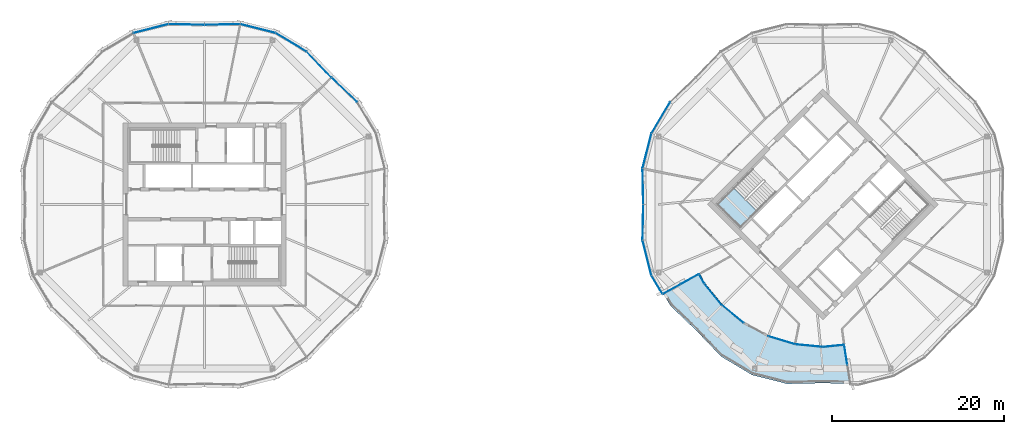
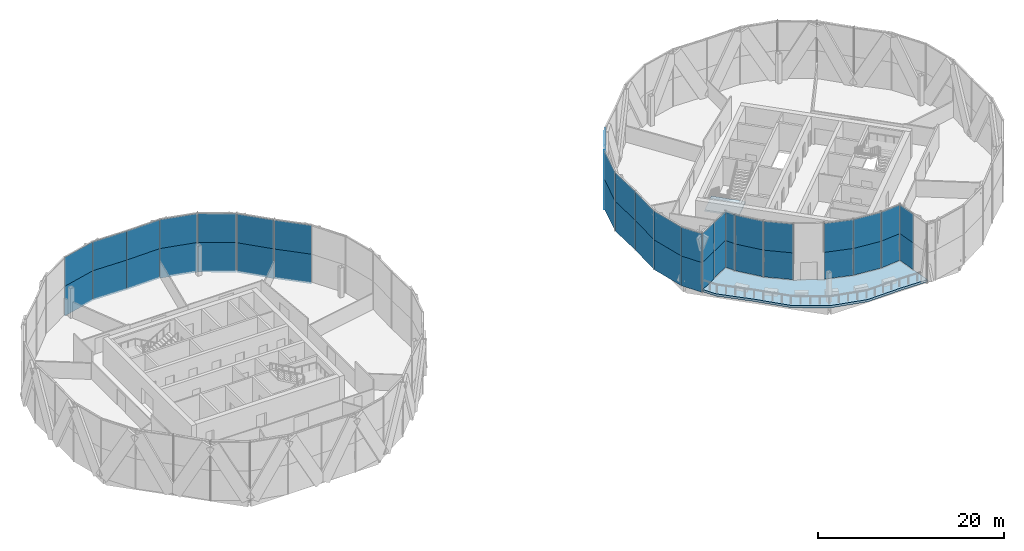
# One storey, part 16 of 26: 44 plates, 2 slabs, 11 elements without a shape of their own.
"""IFC4 building model written with IfcOpenShell, lengths in metres."""

from ifc_helpers import new_model, si_unit, direction, frame, origin, origin_2d, place, context, subcontext, project, spatial, polyline, rectangle, outline, extrude, material, layer, layer_set, type_object, element, aggregate, save


model = new_model("IFC4")

# Units and contexts
model_context = context("Model", 3, precision=1e-05, world=origin(), true_north=direction((0.0, 1.0)))
body_context = subcontext(model_context, "Body", "Model", "MODEL_VIEW")
ifc_project = project(units=[si_unit("LENGTHUNIT", "METRE"), si_unit("AREAUNIT", "SQUARE_METRE"), si_unit("VOLUMEUNIT", "CUBIC_METRE"), si_unit("PLANEANGLEUNIT", "RADIAN"), si_unit("MASSUNIT", "GRAM", prefix="KILO")], contexts=[model_context])

# Site, building, storey
site_placement = place(None, origin())
site = spatial("IfcSite", under=ifc_project, at=site_placement, CompositionType="ELEMENT")
building_placement = place(site_placement, origin())
building = spatial("IfcBuilding", under=site, at=building_placement, Name="Ogive Gate Towers", CompositionType="ELEMENT")
storey_placement = place(building_placement, frame((0.0, 0.0, 208.5)))
storey = spatial("IfcBuildingStorey", under=building, at=storey_placement, Name="L50", CompositionType="ELEMENT", Elevation=208.5)

# Curtain wall, plates
ifc_material_1 = material(Name="Pale metal aluminium", Category="aluminium")
curtain_wall_type_1 = type_object("IfcCurtainWallType", Name="Sky garden glazing", PredefinedType="NOTDEFINED", material=ifc_material_1)
curtain_wall_1_placement = place(storey_placement, origin())
curtain_wall_1 = element("IfcCurtainWall", 1, at=curtain_wall_1_placement, inside=storey, type_object=curtain_wall_type_1, Name="CW4 T2 ECW01", PredefinedType="NOTDEFINED")
ifc_material_2 = material(Name="Clear glass", Category="glass")
ifc_layer_1 = layer(ifc_material_2, 0.028076171875)
ifc_layer_set_1 = layer_set([ifc_layer_1], Name="Sky garden glazing glass panel")
plate_type_1 = type_object("IfcPlateType", Name="Sky garden glazing glass panel", PredefinedType="CURTAIN_PANEL", material=ifc_layer_set_1)
plate_1_placement = place(storey_placement, frame((23.23046875, -10.481689453125, 0.095947265625), z_axis=(0.0, 0.0, 1.0), x_axis=(-0.634393284164, 0.773010453363, 0.0)))
plate_1 = element("IfcPlate", 2, at=plate_1_placement, type_object=plate_type_1, Name="CW4 glass panel", PredefinedType="CURTAIN_PANEL", context=body_context, shape_type="SweptSolid", body=[
    extrude(rectangle(XDim=3.206787109375, YDim=0.028076171875, at=origin_2d()), origin(), (0.0, 0.0, 1.0), 3.50390625),
])
plate_2_placement = place(storey_placement, frame((23.23046875, -10.481689453125, 3.60009765625), z_axis=(0.0, 0.0, 1.0), x_axis=(-0.634393284164, 0.773010453363, 0.0)))
plate_2 = element("IfcPlate", 3, at=plate_2_placement, type_object=plate_type_1, Name="CW4 glass panel", PredefinedType="CURTAIN_PANEL", context=body_context, shape_type="SweptSolid", body=[
    extrude(rectangle(XDim=3.206787109375, YDim=0.028076171875, at=origin_2d()), origin(), (0.0, 0.0, 1.0), 3.803955078125),
])
plate_3_placement = place(storey_placement, frame((21.89990234375, -8.666259765625, 0.095947265625), z_axis=(0.0, 0.0, 1.0), x_axis=(-0.471396736826, 0.881921264348, 0.0)))
plate_3 = element("IfcPlate", 4, at=plate_3_placement, type_object=plate_type_1, Name="CW4 glass panel", PredefinedType="CURTAIN_PANEL", context=body_context, shape_type="SweptSolid", body=[
    extrude(rectangle(XDim=1.211181640625, YDim=0.028076171875, at=origin_2d()), origin(), (0.0, 0.0, 1.0), 3.50390625),
])
plate_4_placement = place(storey_placement, frame((21.89990234375, -8.666259765625, 3.60009765625), z_axis=(0.0, 0.0, 1.0), x_axis=(-0.471396736826, 0.881921264348, 0.0)))
plate_4 = element("IfcPlate", 5, at=plate_4_placement, type_object=plate_type_1, Name="CW4 glass panel", PredefinedType="CURTAIN_PANEL", context=body_context, shape_type="SweptSolid", body=[
    extrude(rectangle(XDim=1.211181640625, YDim=0.028076171875, at=origin_2d()), origin(), (0.0, 0.0, 1.0), 3.803955078125),
])
plate_5_placement = place(storey_placement, frame((20.52734375, -8.69091796875, 0.095947265625), z_axis=(0.0, 0.0, 1.0), x_axis=(-0.87462816853, -0.484794355179, 0.0)))
plate_5 = element("IfcPlate", 6, at=plate_5_placement, type_object=plate_type_1, Name="CW4 glass panel", PredefinedType="CURTAIN_PANEL", context=body_context, shape_type="SweptSolid", body=[
    extrude(rectangle(XDim=2.367919921875, YDim=0.028076171875, at=origin_2d()), origin(), (0.0, 0.0, 1.0), 3.50390625),
])
plate_6_placement = place(storey_placement, frame((20.52734375, -8.69091796875, 3.60009765625), z_axis=(0.0, 0.0, 1.0), x_axis=(-0.87462816853, -0.484794355179, 0.0)))
plate_6 = element("IfcPlate", 7, at=plate_6_placement, type_object=plate_type_1, Name="CW4 glass panel", PredefinedType="CURTAIN_PANEL", context=body_context, shape_type="SweptSolid", body=[
    extrude(rectangle(XDim=2.367919921875, YDim=0.028076171875, at=origin_2d()), origin(), (0.0, 0.0, 1.0), 3.803955078125),
])
aggregate(curtain_wall_1, [plate_1, plate_2, plate_3, plate_4, plate_5, plate_6])

curtain_wall_2_placement = place(storey_placement, origin())
curtain_wall_2 = element("IfcCurtainWall", 8, at=curtain_wall_2_placement, inside=storey, type_object=curtain_wall_type_1, Name="CW4 T2 ECW02", PredefinedType="NOTDEFINED")
plate_7_placement = place(storey_placement, frame((34.38232421875, -16.441162109375, 0.095947265625), z_axis=(0.0, 0.0, 1.0), x_axis=(-0.995184726672, 0.09801714033, 0.0)))
plate_7 = element("IfcPlate", 9, at=plate_7_placement, type_object=plate_type_1, Name="CW4 glass panel", PredefinedType="CURTAIN_PANEL", context=body_context, shape_type="SweptSolid", body=[
    extrude(rectangle(XDim=3.206787109375, YDim=0.028076171875, at=origin_2d()), origin(), (0.0, 0.0, 1.0), 3.50390625),
])
plate_8_placement = place(storey_placement, frame((34.38232421875, -16.441162109375, 3.60009765625), z_axis=(0.0, 0.0, 1.0), x_axis=(-0.995184726672, 0.09801714033, 0.0)))
plate_8 = element("IfcPlate", 10, at=plate_8_placement, type_object=plate_type_1, Name="CW4 glass panel", PredefinedType="CURTAIN_PANEL", context=body_context, shape_type="SweptSolid", body=[
    extrude(rectangle(XDim=3.206787109375, YDim=0.028076171875, at=origin_2d()), origin(), (0.0, 0.0, 1.0), 3.803955078125),
])
plate_9_placement = place(storey_placement, frame((31.20263671875, -15.80859375, 0.095947265625), z_axis=(0.0, 0.0, 1.0), x_axis=(-0.956935269163, 0.29030137897, 0.0)))
plate_9 = element("IfcPlate", 11, at=plate_9_placement, type_object=plate_type_1, Name="CW4 glass panel", PredefinedType="CURTAIN_PANEL", context=body_context, shape_type="SweptSolid", body=[
    extrude(rectangle(XDim=3.206787109375, YDim=0.028076171875, at=origin_2d()), origin(), (0.0, 0.0, 1.0), 3.50390625),
])
plate_10_placement = place(storey_placement, frame((31.20263671875, -15.80859375, 3.60009765625), z_axis=(0.0, 0.0, 1.0), x_axis=(-0.956935269163, 0.29030137897, 0.0)))
plate_10 = element("IfcPlate", 12, at=plate_10_placement, type_object=plate_type_1, Name="CW4 glass panel", PredefinedType="CURTAIN_PANEL", context=body_context, shape_type="SweptSolid", body=[
    extrude(rectangle(XDim=3.206787109375, YDim=0.028076171875, at=origin_2d()), origin(), (0.0, 0.0, 1.0), 3.803955078125),
])
aggregate(curtain_wall_2, [plate_7, plate_8, plate_9, plate_10])

curtain_wall_3_placement = place(storey_placement, origin())
curtain_wall_3 = element("IfcCurtainWall", 13, at=curtain_wall_3_placement, inside=storey, type_object=curtain_wall_type_1, Name="CW4 T2 ECW02b", PredefinedType="NOTDEFINED")
plate_11_placement = place(storey_placement, frame((25.51953125, -12.7705078125, 0.095947265625), z_axis=(0.0, 0.0, 1.0), x_axis=(-0.773010453363, 0.634393284164, 0.0)))
plate_11 = element("IfcPlate", 14, at=plate_11_placement, type_object=plate_type_1, Name="CW4 glass panel", PredefinedType="CURTAIN_PANEL", context=body_context, shape_type="SweptSolid", body=[
    extrude(rectangle(XDim=3.210205078125, YDim=0.028076171875, at=origin_2d()), origin(), (0.0, 0.0, 1.0), 3.50390625),
])
plate_12_placement = place(storey_placement, frame((25.51953125, -12.7705078125, 3.60009765625), z_axis=(0.0, 0.0, 1.0), x_axis=(-0.773010453363, 0.634393284164, 0.0)))
plate_12 = element("IfcPlate", 15, at=plate_12_placement, type_object=plate_type_1, Name="CW4 glass panel", PredefinedType="CURTAIN_PANEL", context=body_context, shape_type="SweptSolid", body=[
    extrude(rectangle(XDim=3.210205078125, YDim=0.028076171875, at=origin_2d()), origin(), (0.0, 0.0, 1.0), 3.803955078125),
])
aggregate(curtain_wall_3, [plate_11, plate_12])

curtain_wall_4_placement = place(storey_placement, origin())
curtain_wall_4 = element("IfcCurtainWall", 16, at=curtain_wall_4_placement, inside=storey, type_object=curtain_wall_type_1, Name="CW4 T2 ECW03", PredefinedType="NOTDEFINED")
plate_13_placement = place(storey_placement, frame((38.673095703125, -17.5166015625, 0.095947265625), z_axis=(0.0, 0.0, 1.0), x_axis=(-0.15645170343, 0.987685610148, 0.0)))
plate_13 = element("IfcPlate", 17, at=plate_13_placement, type_object=plate_type_1, Name="CW4 glass panel", PredefinedType="CURTAIN_PANEL", context=body_context, shape_type="SweptSolid", body=[
    extrude(rectangle(XDim=2.277099609375, YDim=0.028076171875, at=origin_2d()), origin(), (0.0, 0.0, 1.0), 3.50390625),
])
plate_14_placement = place(storey_placement, frame((38.673095703125, -17.5166015625, 3.60009765625), z_axis=(0.0, 0.0, 1.0), x_axis=(-0.15645170343, 0.987685610148, 0.0)))
plate_14 = element("IfcPlate", 18, at=plate_14_placement, type_object=plate_type_1, Name="CW4 glass panel", PredefinedType="CURTAIN_PANEL", context=body_context, shape_type="SweptSolid", body=[
    extrude(rectangle(XDim=2.277099609375, YDim=0.028076171875, at=origin_2d()), origin(), (0.0, 0.0, 1.0), 3.803955078125),
])
plate_15_placement = place(storey_placement, frame((37.237060546875, -16.478515625, 0.095947265625), z_axis=(0.0, 0.0, 1.0), x_axis=(-0.995183015799, -0.098034509565, 0.0)))
plate_15 = element("IfcPlate", 19, at=plate_15_placement, type_object=plate_type_1, Name="CW4 glass panel", PredefinedType="CURTAIN_PANEL", context=body_context, shape_type="SweptSolid", body=[
    extrude(rectangle(XDim=2.44189453125, YDim=0.028076171875, at=origin_2d()), origin(), (0.0, 0.0, 1.0), 3.50390625),
])
plate_16_placement = place(storey_placement, frame((37.237060546875, -16.478515625, 3.60009765625), z_axis=(0.0, 0.0, 1.0), x_axis=(-0.995183015799, -0.098034509565, 0.0)))
plate_16 = element("IfcPlate", 20, at=plate_16_placement, type_object=plate_type_1, Name="CW4 glass panel", PredefinedType="CURTAIN_PANEL", context=body_context, shape_type="SweptSolid", body=[
    extrude(rectangle(XDim=2.44189453125, YDim=0.028076171875, at=origin_2d()), origin(), (0.0, 0.0, 1.0), 3.803955078125),
])
aggregate(curtain_wall_4, [plate_13, plate_14, plate_15, plate_16])

# Stair, slab
ifc_material_3 = material(Name="Concrete C40/50", Category="concrete")
stair_type = type_object("IfcStairType", Name="Escape stair 1840 wide", PredefinedType="HALF_TURN_STAIR", material=ifc_material_3)
stair_placement = place(storey_placement, origin())
stair = element("IfcStair", 21, at=stair_placement, inside=storey, type_object=stair_type, Name="L50 Escape stair 1", PredefinedType="HALF_TURN_STAIR")
ifc_layer_2 = layer(ifc_material_3, 0.199951171875)
ifc_layer_set_2 = layer_set([ifc_layer_2], Name="Stair landing 200 mm")
slab_type_1 = type_object("IfcSlabType", Name="Stair landing 200 mm", PredefinedType="LANDING", material=ifc_layer_set_2)
slab_1_placement = place(storey_placement, frame((0.0, 0.0, 1.75)))
slab_1 = element("IfcSlab", 22, at=slab_1_placement, type_object=slab_type_1, Name="ST1 landing 1", PredefinedType="LANDING", context=body_context, shape_type="SweptSolid", body=[
    extrude(outline(polyline([(25.6044921875, 1.908203125), (23.6962890625, 0.0), (26.401123046875, -2.70458984375), (28.309326171875, -0.79638671875), (25.6044921875, 1.908203125)])), origin(), (0.0, 0.0, 1.0), 0.199951171875),
])
aggregate(stair, [slab_1])

# Slab
ifc_material_4 = material(Name="Concrete C35/45", Category="concrete")
ifc_layer_3 = layer(ifc_material_4, 0.300048828125)
ifc_layer_set_3 = layer_set([ifc_layer_3], Name="Terrace slab 300")
slab_type_2 = type_object("IfcSlabType", Name="Terrace slab 300", PredefinedType="FLOOR", material=ifc_layer_set_3)
slab_2_placement = place(storey_placement, frame((0.0, 0.0, -0.300048828125)))
element("IfcSlab", 23, at=slab_2_placement, inside=storey, type_object=slab_type_2, Name="T2/L50/SSL002", PredefinedType="FLOOR", context=body_context, shape_type="SweptSolid", body=[
    extrude(outline(polyline([(21.636474609375, -7.961669921875), (17.385009765625, -10.318359375), (18.289794921875, -11.833740234375), (21.292236328125, -14.707763671875), (24.166259765625, -17.710205078125), (27.772216796875, -19.863525390625), (31.844482421875, -20.890625), (36.0, -20.800048828125), (39.305908203125, -20.8720703125), (38.5732421875, -16.24658203125), (36.0, -16.5), (32.781005859375, -16.182861328125), (29.685791015625, -15.243896484375), (26.8330078125, -13.71923828125), (24.332763671875, -11.667236328125), (22.28076171875, -9.1669921875), (21.636474609375, -7.961669921875)])), origin(), (0.0, 0.0, 1.0), 0.300048828125),
])

# Curtain wall, plates
curtain_wall_type_2 = type_object("IfcCurtainWallType", Name="Tower unitised wall, high zone", PredefinedType="NOTDEFINED", material=ifc_material_1)
curtain_wall_5_placement = place(storey_placement, origin())
curtain_wall_5 = element("IfcCurtainWall", 24, at=curtain_wall_5_placement, inside=storey, type_object=curtain_wall_type_2, Name="CW2 T1 ECW01", PredefinedType="NOTDEFINED")
ifc_layer_4 = layer(ifc_material_2, 0.028076171875)
ifc_layer_set_4 = layer_set([ifc_layer_4], Name="Tower unitised wall, high zone glass panel")
plate_type_2 = type_object("IfcPlateType", Name="Tower unitised wall, high zone glass panel", PredefinedType="CURTAIN_PANEL", material=ifc_layer_set_4)
plate_17_placement = place(storey_placement, frame((-19.717529296875, 13.3388671875, -0.300048828125), z_axis=(0.0, 0.0, 1.0), x_axis=(-0.722376031129, 0.691500448047, 0.0)))
plate_17 = element("IfcPlate", 25, at=plate_17_placement, type_object=plate_type_2, Name="CW2 glass panel", PredefinedType="CURTAIN_PANEL", context=body_context, shape_type="SweptSolid", body=[
    extrude(rectangle(XDim=4.10986328125, YDim=0.028076171875, at=origin_2d()), origin(), (0.0, 0.0, 1.0), 3.89990234375),
])
plate_18_placement = place(storey_placement, frame((-19.717529296875, 13.3388671875, 3.60009765625), z_axis=(0.0, 0.0, 1.0), x_axis=(-0.722376031129, 0.691500448047, 0.0)))
plate_18 = element("IfcPlate", 26, at=plate_18_placement, type_object=plate_type_2, Name="CW2 glass panel", PredefinedType="CURTAIN_PANEL", context=body_context, shape_type="SweptSolid", body=[
    extrude(rectangle(XDim=4.10986328125, YDim=0.028076171875, at=origin_2d()), origin(), (0.0, 0.0, 1.0), 3.803955078125),
])
aggregate(curtain_wall_5, [plate_17, plate_18])

curtain_wall_6_placement = place(storey_placement, origin())
curtain_wall_6 = element("IfcCurtainWall", 27, at=curtain_wall_6_placement, inside=storey, type_object=curtain_wall_type_2, Name="CW2 T1 ECW02", PredefinedType="NOTDEFINED")
plate_19_placement = place(storey_placement, frame((-22.6611328125, 16.282470703125, -0.300048828125), z_axis=(0.0, 0.0, 1.0), x_axis=(-0.691500448047, 0.722376031129, 0.0)))
plate_19 = element("IfcPlate", 28, at=plate_19_placement, type_object=plate_type_2, Name="CW2 glass panel", PredefinedType="CURTAIN_PANEL", context=body_context, shape_type="SweptSolid", body=[
    extrude(rectangle(XDim=4.10986328125, YDim=0.028076171875, at=origin_2d()), origin(), (0.0, 0.0, 1.0), 3.89990234375),
])
plate_20_placement = place(storey_placement, frame((-22.6611328125, 16.282470703125, 3.60009765625), z_axis=(0.0, 0.0, 1.0), x_axis=(-0.691500448047, 0.722376031129, 0.0)))
plate_20 = element("IfcPlate", 29, at=plate_20_placement, type_object=plate_type_2, Name="CW2 glass panel", PredefinedType="CURTAIN_PANEL", context=body_context, shape_type="SweptSolid", body=[
    extrude(rectangle(XDim=4.10986328125, YDim=0.028076171875, at=origin_2d()), origin(), (0.0, 0.0, 1.0), 3.803955078125),
])
plate_21_placement = place(storey_placement, frame((-25.91845703125, 18.873046875, -0.300048828125), z_axis=(0.0, 0.0, 1.0), x_axis=(-0.858584319161, 0.512672377733, 0.0)))
plate_21 = element("IfcPlate", 30, at=plate_21_placement, type_object=plate_type_2, Name="CW2 glass panel", PredefinedType="CURTAIN_PANEL", context=body_context, shape_type="SweptSolid", body=[
    extrude(rectangle(XDim=4.166015625, YDim=0.028076171875, at=origin_2d()), origin(), (0.0, 0.0, 1.0), 3.89990234375),
])
plate_22_placement = place(storey_placement, frame((-25.91845703125, 18.873046875, 3.60009765625), z_axis=(0.0, 0.0, 1.0), x_axis=(-0.858584319161, 0.512672377733, 0.0)))
plate_22 = element("IfcPlate", 31, at=plate_22_placement, type_object=plate_type_2, Name="CW2 glass panel", PredefinedType="CURTAIN_PANEL", context=body_context, shape_type="SweptSolid", body=[
    extrude(rectangle(XDim=4.166015625, YDim=0.028076171875, at=origin_2d()), origin(), (0.0, 0.0, 1.0), 3.803955078125),
])
plate_23_placement = place(storey_placement, frame((-29.783447265625, 20.473876953125, -0.300048828125), z_axis=(0.0, 0.0, 1.0), x_axis=(-0.969620639956, 0.244613602588, 0.0)))
plate_23 = element("IfcPlate", 32, at=plate_23_placement, type_object=plate_type_2, Name="CW2 glass panel", PredefinedType="CURTAIN_PANEL", context=body_context, shape_type="SweptSolid", body=[
    extrude(rectangle(XDim=4.166015625, YDim=0.028076171875, at=origin_2d()), origin(), (0.0, 0.0, 1.0), 3.89990234375),
])
plate_24_placement = place(storey_placement, frame((-29.783447265625, 20.473876953125, 3.60009765625), z_axis=(0.0, 0.0, 1.0), x_axis=(-0.969620639956, 0.244613602588, 0.0)))
plate_24 = element("IfcPlate", 33, at=plate_24_placement, type_object=plate_type_2, Name="CW2 glass panel", PredefinedType="CURTAIN_PANEL", context=body_context, shape_type="SweptSolid", body=[
    extrude(rectangle(XDim=4.166015625, YDim=0.028076171875, at=origin_2d()), origin(), (0.0, 0.0, 1.0), 3.803955078125),
])
plate_25_placement = place(storey_placement, frame((-33.91845703125, 20.945556640625, -0.300048828125), z_axis=(0.0, 0.0, 1.0), x_axis=(-0.999761646186, -0.02183233417, 0.0)))
plate_25 = element("IfcPlate", 34, at=plate_25_placement, type_object=plate_type_2, Name="CW2 glass panel", PredefinedType="CURTAIN_PANEL", context=body_context, shape_type="SweptSolid", body=[
    extrude(rectangle(XDim=4.10986328125, YDim=0.028076171875, at=origin_2d()), origin(), (0.0, 0.0, 1.0), 3.89990234375),
])
plate_26_placement = place(storey_placement, frame((-33.91845703125, 20.945556640625, 3.60009765625), z_axis=(0.0, 0.0, 1.0), x_axis=(-0.999761646186, -0.02183233417, 0.0)))
plate_26 = element("IfcPlate", 35, at=plate_26_placement, type_object=plate_type_2, Name="CW2 glass panel", PredefinedType="CURTAIN_PANEL", context=body_context, shape_type="SweptSolid", body=[
    extrude(rectangle(XDim=4.10986328125, YDim=0.028076171875, at=origin_2d()), origin(), (0.0, 0.0, 1.0), 3.803955078125),
])
aggregate(curtain_wall_6, [plate_19, plate_20, plate_21, plate_22, plate_23, plate_24, plate_25, plate_26])

curtain_wall_7_placement = place(storey_placement, origin())
curtain_wall_7 = element("IfcCurtainWall", 36, at=curtain_wall_7_placement, inside=storey, type_object=curtain_wall_type_2, Name="CW2 T1 ECW03", PredefinedType="NOTDEFINED")
plate_27_placement = place(storey_placement, frame((-38.08154296875, 20.945556640625, -0.300048828125), z_axis=(0.0, 0.0, 1.0), x_axis=(-0.999761646186, 0.02183233417, 0.0)))
plate_27 = element("IfcPlate", 37, at=plate_27_placement, type_object=plate_type_2, Name="CW2 glass panel", PredefinedType="CURTAIN_PANEL", context=body_context, shape_type="SweptSolid", body=[
    extrude(rectangle(XDim=4.10986328125, YDim=0.028076171875, at=origin_2d()), origin(), (0.0, 0.0, 1.0), 3.89990234375),
])
plate_28_placement = place(storey_placement, frame((-38.08154296875, 20.945556640625, 3.60009765625), z_axis=(0.0, 0.0, 1.0), x_axis=(-0.999761646186, 0.02183233417, 0.0)))
plate_28 = element("IfcPlate", 38, at=plate_28_placement, type_object=plate_type_2, Name="CW2 glass panel", PredefinedType="CURTAIN_PANEL", context=body_context, shape_type="SweptSolid", body=[
    extrude(rectangle(XDim=4.10986328125, YDim=0.028076171875, at=origin_2d()), origin(), (0.0, 0.0, 1.0), 3.803955078125),
])
plate_29_placement = place(storey_placement, frame((-42.216552734375, 20.473876953125, -0.300048828125), z_axis=(0.0, 0.0, 1.0), x_axis=(-0.969620639956, -0.244613602588, 0.0)))
plate_29 = element("IfcPlate", 39, at=plate_29_placement, type_object=plate_type_2, Name="CW2 glass panel", PredefinedType="CURTAIN_PANEL", context=body_context, shape_type="SweptSolid", body=[
    extrude(rectangle(XDim=4.166015625, YDim=0.028076171875, at=origin_2d()), origin(), (0.0, 0.0, 1.0), 3.89990234375),
])
plate_30_placement = place(storey_placement, frame((-42.216552734375, 20.473876953125, 3.60009765625), z_axis=(0.0, 0.0, 1.0), x_axis=(-0.969620639956, -0.244613602588, 0.0)))
plate_30 = element("IfcPlate", 40, at=plate_30_placement, type_object=plate_type_2, Name="CW2 glass panel", PredefinedType="CURTAIN_PANEL", context=body_context, shape_type="SweptSolid", body=[
    extrude(rectangle(XDim=4.166015625, YDim=0.028076171875, at=origin_2d()), origin(), (0.0, 0.0, 1.0), 3.803955078125),
])
aggregate(curtain_wall_7, [plate_27, plate_28, plate_29, plate_30])

curtain_wall_8_placement = place(storey_placement, origin())
curtain_wall_8 = element("IfcCurtainWall", 41, at=curtain_wall_8_placement, inside=storey, type_object=curtain_wall_type_2, Name="CW2 T2 ECW07", PredefinedType="NOTDEFINED")
plate_31_placement = place(storey_placement, frame((15.054443359375, 2.08154296875, -0.300048828125), z_axis=(0.0, 0.0, 1.0), x_axis=(-0.02183233417, 0.999761646186, 0.0)))
plate_31 = element("IfcPlate", 42, at=plate_31_placement, type_object=plate_type_2, Name="CW2 glass panel", PredefinedType="CURTAIN_PANEL", context=body_context, shape_type="SweptSolid", body=[
    extrude(rectangle(XDim=4.10986328125, YDim=0.028076171875, at=origin_2d()), origin(), (0.0, 0.0, 1.0), 3.89990234375),
])
plate_32_placement = place(storey_placement, frame((15.054443359375, 2.08154296875, 3.60009765625), z_axis=(0.0, 0.0, 1.0), x_axis=(-0.02183233417, 0.999761646186, 0.0)))
plate_32 = element("IfcPlate", 43, at=plate_32_placement, type_object=plate_type_2, Name="CW2 glass panel", PredefinedType="CURTAIN_PANEL", context=body_context, shape_type="SweptSolid", body=[
    extrude(rectangle(XDim=4.10986328125, YDim=0.028076171875, at=origin_2d()), origin(), (0.0, 0.0, 1.0), 3.803955078125),
])
plate_33_placement = place(storey_placement, frame((15.526123046875, 6.216552734375, -0.300048828125), z_axis=(0.0, 0.0, 1.0), x_axis=(0.244613602588, 0.969620639956, 0.0)))
plate_33 = element("IfcPlate", 44, at=plate_33_placement, type_object=plate_type_2, Name="CW2 glass panel", PredefinedType="CURTAIN_PANEL", context=body_context, shape_type="SweptSolid", body=[
    extrude(rectangle(XDim=4.166015625, YDim=0.028076171875, at=origin_2d()), origin(), (0.0, 0.0, 1.0), 3.89990234375),
])
plate_34_placement = place(storey_placement, frame((15.526123046875, 6.216552734375, 3.60009765625), z_axis=(0.0, 0.0, 1.0), x_axis=(0.244613602588, 0.969620639956, 0.0)))
plate_34 = element("IfcPlate", 45, at=plate_34_placement, type_object=plate_type_2, Name="CW2 glass panel", PredefinedType="CURTAIN_PANEL", context=body_context, shape_type="SweptSolid", body=[
    extrude(rectangle(XDim=4.166015625, YDim=0.028076171875, at=origin_2d()), origin(), (0.0, 0.0, 1.0), 3.803955078125),
])
plate_35_placement = place(storey_placement, frame((17.126953125, 10.08154296875, -0.300048828125), z_axis=(0.0, 0.0, 1.0), x_axis=(0.512672377733, 0.858584319161, 0.0)))
plate_35 = element("IfcPlate", 46, at=plate_35_placement, type_object=plate_type_2, Name="CW2 glass panel", PredefinedType="CURTAIN_PANEL", context=body_context, shape_type="SweptSolid", body=[
    extrude(rectangle(XDim=4.166015625, YDim=0.028076171875, at=origin_2d()), origin(), (0.0, 0.0, 1.0), 3.89990234375),
])
plate_36_placement = place(storey_placement, frame((17.126953125, 10.08154296875, 3.60009765625), z_axis=(0.0, 0.0, 1.0), x_axis=(0.512672377733, 0.858584319161, 0.0)))
plate_36 = element("IfcPlate", 47, at=plate_36_placement, type_object=plate_type_2, Name="CW2 glass panel", PredefinedType="CURTAIN_PANEL", context=body_context, shape_type="SweptSolid", body=[
    extrude(rectangle(XDim=4.166015625, YDim=0.028076171875, at=origin_2d()), origin(), (0.0, 0.0, 1.0), 3.803955078125),
])
aggregate(curtain_wall_8, [plate_31, plate_32, plate_33, plate_34, plate_35, plate_36])

curtain_wall_9_placement = place(storey_placement, origin())
curtain_wall_9 = element("IfcCurtainWall", 48, at=curtain_wall_9_placement, inside=storey, type_object=curtain_wall_type_2, Name="CW2 T2 ECW08", PredefinedType="NOTDEFINED")
plate_37_placement = place(storey_placement, frame((15.526611328125, -6.218505859375, -0.300048828125), z_axis=(0.0, 0.0, 1.0), x_axis=(-0.244613602588, 0.969620639956, 0.0)))
plate_37 = element("IfcPlate", 49, at=plate_37_placement, type_object=plate_type_2, Name="CW2 glass panel", PredefinedType="CURTAIN_PANEL", context=body_context, shape_type="SweptSolid", body=[
    extrude(rectangle(XDim=4.170166015625, YDim=0.028076171875, at=origin_2d()), origin(), (0.0, 0.0, 1.0), 3.89990234375),
])
plate_38_placement = place(storey_placement, frame((15.526611328125, -6.218505859375, 3.60009765625), z_axis=(0.0, 0.0, 1.0), x_axis=(-0.244613602588, 0.969620639956, 0.0)))
plate_38 = element("IfcPlate", 50, at=plate_38_placement, type_object=plate_type_2, Name="CW2 glass panel", PredefinedType="CURTAIN_PANEL", context=body_context, shape_type="SweptSolid", body=[
    extrude(rectangle(XDim=4.170166015625, YDim=0.028076171875, at=origin_2d()), origin(), (0.0, 0.0, 1.0), 3.803955078125),
])
plate_39_placement = place(storey_placement, frame((15.054443359375, -2.08154296875, -0.300048828125), z_axis=(0.0, 0.0, 1.0), x_axis=(0.02183233417, 0.999761646186, 0.0)))
plate_39 = element("IfcPlate", 51, at=plate_39_placement, type_object=plate_type_2, Name="CW2 glass panel", PredefinedType="CURTAIN_PANEL", context=body_context, shape_type="SweptSolid", body=[
    extrude(rectangle(XDim=4.10986328125, YDim=0.028076171875, at=origin_2d()), origin(), (0.0, 0.0, 1.0), 3.89990234375),
])
plate_40_placement = place(storey_placement, frame((15.054443359375, -2.08154296875, 3.60009765625), z_axis=(0.0, 0.0, 1.0), x_axis=(0.02183233417, 0.999761646186, 0.0)))
plate_40 = element("IfcPlate", 52, at=plate_40_placement, type_object=plate_type_2, Name="CW2 glass panel", PredefinedType="CURTAIN_PANEL", context=body_context, shape_type="SweptSolid", body=[
    extrude(rectangle(XDim=4.10986328125, YDim=0.028076171875, at=origin_2d()), origin(), (0.0, 0.0, 1.0), 3.803955078125),
])
aggregate(curtain_wall_9, [plate_37, plate_38, plate_39, plate_40])

curtain_wall_10_placement = place(storey_placement, origin())
curtain_wall_10 = element("IfcCurtainWall", 53, at=curtain_wall_10_placement, inside=storey, type_object=curtain_wall_type_2, Name="CW2 T2 ECW08b", PredefinedType="NOTDEFINED")
plate_41_placement = place(storey_placement, frame((18.41748046875, -9.860595703125, -0.300048828125), z_axis=(0.0, 0.0, 1.0), x_axis=(-0.874619707139, -0.484809620246, 0.0)))
plate_41 = element("IfcPlate", 54, at=plate_41_placement, type_object=plate_type_2, Name="CW2 glass panel", PredefinedType="CURTAIN_PANEL", context=body_context, shape_type="SweptSolid", body=[
    extrude(rectangle(XDim=2.358642578125, YDim=0.028076171875, at=origin_2d()), origin(), (0.0, 0.0, 1.0), 3.89990234375),
])
plate_42_placement = place(storey_placement, frame((18.41748046875, -9.860595703125, 3.60009765625), z_axis=(0.0, 0.0, 1.0), x_axis=(-0.874619707139, -0.484809620246, 0.0)))
plate_42 = element("IfcPlate", 55, at=plate_42_placement, type_object=plate_type_2, Name="CW2 glass panel", PredefinedType="CURTAIN_PANEL", context=body_context, shape_type="SweptSolid", body=[
    extrude(rectangle(XDim=2.358642578125, YDim=0.028076171875, at=origin_2d()), origin(), (0.0, 0.0, 1.0), 3.803955078125),
])
plate_43_placement = place(storey_placement, frame((16.69189453125, -9.35302734375, -0.300048828125), z_axis=(0.0, 0.0, 1.0), x_axis=(-0.512672377733, 0.858584319161, 0.0)))
plate_43 = element("IfcPlate", 56, at=plate_43_placement, type_object=plate_type_2, Name="CW2 glass panel", PredefinedType="CURTAIN_PANEL", context=body_context, shape_type="SweptSolid", body=[
    extrude(rectangle(XDim=2.47705078125, YDim=0.028076171875, at=origin_2d()), origin(), (0.0, 0.0, 1.0), 3.89990234375),
])
plate_44_placement = place(storey_placement, frame((16.69189453125, -9.35302734375, 3.60009765625), z_axis=(0.0, 0.0, 1.0), x_axis=(-0.512672377733, 0.858584319161, 0.0)))
plate_44 = element("IfcPlate", 57, at=plate_44_placement, type_object=plate_type_2, Name="CW2 glass panel", PredefinedType="CURTAIN_PANEL", context=body_context, shape_type="SweptSolid", body=[
    extrude(rectangle(XDim=2.47705078125, YDim=0.028076171875, at=origin_2d()), origin(), (0.0, 0.0, 1.0), 3.803955078125),
])
aggregate(curtain_wall_10, [plate_41, plate_42, plate_43, plate_44])

save(model, "model.ifc")
